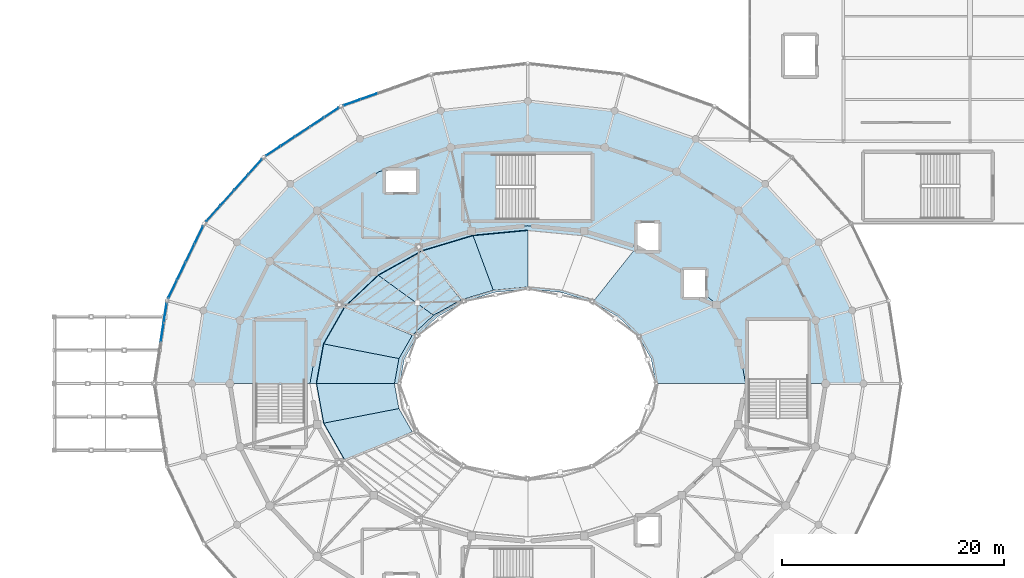
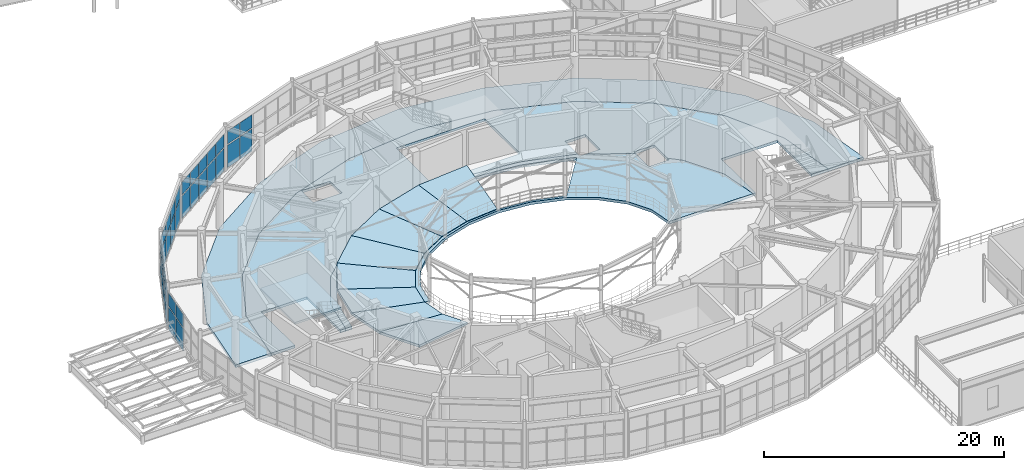
# One storey, part 84 of 144: 34 plates, 12 slabs, 6 elements without a shape of their own.
"""IFC4 building model written with IfcOpenShell, lengths in metres."""

from ifc_helpers import new_model, si_unit, direction, frame, origin, origin_2d, place, context, subcontext, project, spatial, polyline, rectangle, outline, extrude, material, layer, layer_set, type_object, element, aggregate, save


model = new_model("IFC4")

# Units and contexts
model_context = context("Model", 3, precision=1e-05, world=origin(), true_north=direction((0.0, 1.0)))
body_context = subcontext(model_context, "Body", "Model", "MODEL_VIEW")
ifc_project = project(units=[si_unit("LENGTHUNIT", "METRE"), si_unit("AREAUNIT", "SQUARE_METRE"), si_unit("VOLUMEUNIT", "CUBIC_METRE"), si_unit("PLANEANGLEUNIT", "RADIAN"), si_unit("MASSUNIT", "GRAM", prefix="KILO")], contexts=[model_context])

# Site, building, storey
site_placement = place(None, origin())
site = spatial("IfcSite", under=ifc_project, at=site_placement, CompositionType="ELEMENT")
building_placement = place(site_placement, origin())
building = spatial("IfcBuilding", under=site, at=building_placement, Name="Cinderbank Siding Concert Hall", CompositionType="ELEMENT")
storey_placement = place(building_placement, frame((0.0, 0.0, 5.39990234375)))
storey = spatial("IfcBuildingStorey", under=building, at=storey_placement, Name="L02", CompositionType="ELEMENT", Elevation=5.39990234375)

# Curtain wall, plates
ifc_material_1 = material(Name="Anodised aluminium alloy 6063-T6", Category="aluminium")
curtain_wall_type_1 = type_object("IfcCurtainWallType", Name="CW-08 Unitised Acoustic Curtain Wall 6400x3800", PredefinedType="NOTDEFINED", material=ifc_material_1)
curtain_wall_1_placement = place(storey_placement, origin())
curtain_wall_1 = element("IfcCurtainWall", 1, at=curtain_wall_1_placement, inside=storey, type_object=curtain_wall_type_1, Name="L02 Curtain Wall CW-08 #8", PredefinedType="NOTDEFINED")
ifc_material_2 = material(Name="Double-glazed laminated acoustic glass", Category="glass")
ifc_layer_1 = layer(ifc_material_2, 0.035888671875)
ifc_layer_set_1 = layer_set([ifc_layer_1], Name="Double-glazed laminated acoustic glass")
plate_type_1 = type_object("IfcPlateType", Name="CP-01 Glazed Curtain Panel 1800x2200", PredefinedType="CURTAIN_PANEL", material=ifc_layer_set_1)
plate_1_placement = place(storey_placement, frame((107.716796875, 69.8349609375, 0.1201171875), z_axis=(0.0, 0.0, 1.0), x_axis=(-0.942365662238, -0.334584755532, 0.0)))
plate_1 = element("IfcPlate", 2, at=plate_1_placement, type_object=plate_type_1, Name="CW-L02-008 Glazed Panel 3-0", PredefinedType="CURTAIN_PANEL", context=body_context, shape_type="SweptSolid", body=[
    extrude(rectangle(XDim=1.529052734375, YDim=0.035888671875, at=origin_2d()), origin(), (0.0, 0.0, 1.0), 2.26708984375),
])
plate_2_placement = place(storey_placement, frame((107.716796875, 69.8349609375, 2.50732421875), z_axis=(0.0, 0.0, 1.0), x_axis=(-0.942365662238, -0.334584755532, 0.0)))
plate_2 = element("IfcPlate", 3, at=plate_2_placement, type_object=plate_type_1, Name="CW-L02-008 Glazed Panel 3-1", PredefinedType="CURTAIN_PANEL", context=body_context, shape_type="SweptSolid", body=[
    extrude(rectangle(XDim=1.529052734375, YDim=0.035888671875, at=origin_2d()), origin(), (0.0, 0.0, 1.0), 1.31982421875),
])
plate_3_placement = place(storey_placement, frame((106.181396484375, 69.2900390625, 0.1201171875), z_axis=(0.0, 0.0, 1.0), x_axis=(-0.942365662238, -0.334584755532, 0.0)))
plate_3 = element("IfcPlate", 4, at=plate_3_placement, type_object=plate_type_1, Name="CW-L02-008 Glazed Panel 4-0", PredefinedType="CURTAIN_PANEL", context=body_context, shape_type="SweptSolid", body=[
    extrude(rectangle(XDim=1.529052734375, YDim=0.035888671875, at=origin_2d()), origin(), (0.0, 0.0, 1.0), 2.26708984375),
])
plate_4_placement = place(storey_placement, frame((106.181396484375, 69.2900390625, 2.50732421875), z_axis=(0.0, 0.0, 1.0), x_axis=(-0.942365662238, -0.334584755532, 0.0)))
plate_4 = element("IfcPlate", 5, at=plate_4_placement, type_object=plate_type_1, Name="CW-L02-008 Glazed Panel 4-1", PredefinedType="CURTAIN_PANEL", context=body_context, shape_type="SweptSolid", body=[
    extrude(rectangle(XDim=1.529052734375, YDim=0.035888671875, at=origin_2d()), origin(), (0.0, 0.0, 1.0), 1.31982421875),
])
aggregate(curtain_wall_1, [plate_1, plate_2, plate_3, plate_4])

curtain_wall_type_2 = type_object("IfcCurtainWallType", Name="CW-09 Unitised Acoustic Curtain Wall 8000x3500", PredefinedType="NOTDEFINED", material=ifc_material_1)
curtain_wall_2_placement = place(storey_placement, origin())
curtain_wall_2 = element("IfcCurtainWall", 6, at=curtain_wall_2_placement, inside=storey, type_object=curtain_wall_type_2, Name="L02 Curtain Wall CW-09 #9", PredefinedType="NOTDEFINED")
ifc_layer_2 = layer(ifc_material_2, 0.035888671875)
ifc_layer_set_2 = layer_set([ifc_layer_2], Name="Double-glazed laminated acoustic glass")
plate_type_2 = type_object("IfcPlateType", Name="CP-02 Glazed Curtain Panel 1800x1900", PredefinedType="CURTAIN_PANEL", material=ifc_layer_set_2)
plate_5_placement = place(storey_placement, frame((104.352294921875, 68.384033203125, 0.1201171875), z_axis=(0.0, 0.0, 1.0), x_axis=(-0.835491932304, -0.549502712509, 0.0)))
plate_5 = element("IfcPlate", 7, at=plate_5_placement, type_object=plate_type_2, Name="CW-L02-009 Glazed Panel 0-0", PredefinedType="CURTAIN_PANEL", context=body_context, shape_type="SweptSolid", body=[
    extrude(rectangle(XDim=1.47509765625, YDim=0.035888671875, at=origin_2d()), origin(), (0.0, 0.0, 1.0), 2.26708984375),
])
plate_6_placement = place(storey_placement, frame((104.352294921875, 68.384033203125, 2.50732421875), z_axis=(0.0, 0.0, 1.0), x_axis=(-0.835491932304, -0.549502712509, 0.0)))
plate_6 = element("IfcPlate", 8, at=plate_6_placement, type_object=plate_type_2, Name="CW-L02-009 Glazed Panel 0-1", PredefinedType="CURTAIN_PANEL", context=body_context, shape_type="SweptSolid", body=[
    extrude(rectangle(XDim=1.47509765625, YDim=0.035888671875, at=origin_2d()), origin(), (0.0, 0.0, 1.0), 1.31982421875),
])
plate_7_placement = place(storey_placement, frame((103.03662109375, 67.5185546875, 0.1201171875), z_axis=(0.0, 0.0, 1.0), x_axis=(-0.835491932304, -0.549502712509, 0.0)))
plate_7 = element("IfcPlate", 9, at=plate_7_placement, type_object=plate_type_2, Name="CW-L02-009 Glazed Panel 1-0", PredefinedType="CURTAIN_PANEL", context=body_context, shape_type="SweptSolid", body=[
    extrude(rectangle(XDim=1.47509765625, YDim=0.035888671875, at=origin_2d()), origin(), (0.0, 0.0, 1.0), 2.26708984375),
])
plate_8_placement = place(storey_placement, frame((103.03662109375, 67.5185546875, 2.50732421875), z_axis=(0.0, 0.0, 1.0), x_axis=(-0.835491932304, -0.549502712509, 0.0)))
plate_8 = element("IfcPlate", 10, at=plate_8_placement, type_object=plate_type_2, Name="CW-L02-009 Glazed Panel 1-1", PredefinedType="CURTAIN_PANEL", context=body_context, shape_type="SweptSolid", body=[
    extrude(rectangle(XDim=1.47509765625, YDim=0.035888671875, at=origin_2d()), origin(), (0.0, 0.0, 1.0), 1.31982421875),
])
plate_9_placement = place(storey_placement, frame((101.720703125, 66.653076171875, 0.1201171875), z_axis=(0.0, 0.0, 1.0), x_axis=(-0.835491932304, -0.549502712509, 0.0)))
plate_9 = element("IfcPlate", 11, at=plate_9_placement, type_object=plate_type_2, Name="CW-L02-009 Glazed Panel 2-0", PredefinedType="CURTAIN_PANEL", context=body_context, shape_type="SweptSolid", body=[
    extrude(rectangle(XDim=1.47509765625, YDim=0.035888671875, at=origin_2d()), origin(), (0.0, 0.0, 1.0), 2.26708984375),
])
plate_10_placement = place(storey_placement, frame((101.720703125, 66.653076171875, 2.50732421875), z_axis=(0.0, 0.0, 1.0), x_axis=(-0.835491932304, -0.549502712509, 0.0)))
plate_10 = element("IfcPlate", 12, at=plate_10_placement, type_object=plate_type_2, Name="CW-L02-009 Glazed Panel 2-1", PredefinedType="CURTAIN_PANEL", context=body_context, shape_type="SweptSolid", body=[
    extrude(rectangle(XDim=1.47509765625, YDim=0.035888671875, at=origin_2d()), origin(), (0.0, 0.0, 1.0), 1.31982421875),
])
plate_11_placement = place(storey_placement, frame((100.40478515625, 65.78759765625, 0.1201171875), z_axis=(0.0, 0.0, 1.0), x_axis=(-0.835491932304, -0.549502712509, 0.0)))
plate_11 = element("IfcPlate", 13, at=plate_11_placement, type_object=plate_type_2, Name="CW-L02-009 Glazed Panel 3-0", PredefinedType="CURTAIN_PANEL", context=body_context, shape_type="SweptSolid", body=[
    extrude(rectangle(XDim=1.47509765625, YDim=0.035888671875, at=origin_2d()), origin(), (0.0, 0.0, 1.0), 2.26708984375),
])
plate_12_placement = place(storey_placement, frame((100.40478515625, 65.78759765625, 2.50732421875), z_axis=(0.0, 0.0, 1.0), x_axis=(-0.835491932304, -0.549502712509, 0.0)))
plate_12 = element("IfcPlate", 14, at=plate_12_placement, type_object=plate_type_2, Name="CW-L02-009 Glazed Panel 3-1", PredefinedType="CURTAIN_PANEL", context=body_context, shape_type="SweptSolid", body=[
    extrude(rectangle(XDim=1.47509765625, YDim=0.035888671875, at=origin_2d()), origin(), (0.0, 0.0, 1.0), 1.31982421875),
])
plate_13_placement = place(storey_placement, frame((99.0888671875, 64.922119140625, 0.1201171875), z_axis=(0.0, 0.0, 1.0), x_axis=(-0.835491932304, -0.549502712509, 0.0)))
plate_13 = element("IfcPlate", 15, at=plate_13_placement, type_object=plate_type_2, Name="CW-L02-009 Glazed Panel 4-0", PredefinedType="CURTAIN_PANEL", context=body_context, shape_type="SweptSolid", body=[
    extrude(rectangle(XDim=1.47509765625, YDim=0.035888671875, at=origin_2d()), origin(), (0.0, 0.0, 1.0), 2.26708984375),
])
plate_14_placement = place(storey_placement, frame((99.0888671875, 64.922119140625, 2.50732421875), z_axis=(0.0, 0.0, 1.0), x_axis=(-0.835491932304, -0.549502712509, 0.0)))
plate_14 = element("IfcPlate", 16, at=plate_14_placement, type_object=plate_type_2, Name="CW-L02-009 Glazed Panel 4-1", PredefinedType="CURTAIN_PANEL", context=body_context, shape_type="SweptSolid", body=[
    extrude(rectangle(XDim=1.47509765625, YDim=0.035888671875, at=origin_2d()), origin(), (0.0, 0.0, 1.0), 1.31982421875),
])
aggregate(curtain_wall_2, [plate_5, plate_6, plate_7, plate_8, plate_9, plate_10, plate_11, plate_12, plate_13, plate_14])

curtain_wall_type_3 = type_object("IfcCurtainWallType", Name="CW-10 Unitised Acoustic Curtain Wall 7200x3500", PredefinedType="NOTDEFINED", material=ifc_material_1)
curtain_wall_3_placement = place(storey_placement, origin())
curtain_wall_3 = element("IfcCurtainWall", 17, at=curtain_wall_3_placement, inside=storey, type_object=curtain_wall_type_3, Name="L02 Curtain Wall CW-10 #10", PredefinedType="NOTDEFINED")
ifc_layer_3 = layer(ifc_material_2, 0.035888671875)
ifc_layer_set_3 = layer_set([ifc_layer_3], Name="Double-glazed laminated acoustic glass")
plate_type_3 = type_object("IfcPlateType", Name="CP-03 Glazed Curtain Panel 1600x2100", PredefinedType="CURTAIN_PANEL", material=ifc_layer_set_3)
plate_15_placement = place(storey_placement, frame((97.460205078125, 63.4921875, 0.1201171875), z_axis=(0.0, 0.0, 1.0), x_axis=(-0.666993465338, -0.745063565877, 0.0)))
plate_15 = element("IfcPlate", 18, at=plate_15_placement, type_object=plate_type_3, Name="CW-L02-010 Glazed Panel 0-0", PredefinedType="CURTAIN_PANEL", context=body_context, shape_type="SweptSolid", body=[
    extrude(rectangle(XDim=1.787841796875, YDim=0.035888671875, at=origin_2d()), origin(), (0.0, 0.0, 1.0), 2.26708984375),
])
plate_16_placement = place(storey_placement, frame((97.460205078125, 63.4921875, 2.50732421875), z_axis=(0.0, 0.0, 1.0), x_axis=(-0.666993465338, -0.745063565877, 0.0)))
plate_16 = element("IfcPlate", 19, at=plate_16_placement, type_object=plate_type_3, Name="CW-L02-010 Glazed Panel 0-1", PredefinedType="CURTAIN_PANEL", context=body_context, shape_type="SweptSolid", body=[
    extrude(rectangle(XDim=1.787841796875, YDim=0.035888671875, at=origin_2d()), origin(), (0.0, 0.0, 1.0), 1.31982421875),
])
plate_17_placement = place(storey_placement, frame((96.200927734375, 62.085693359375, 0.1201171875), z_axis=(0.0, 0.0, 1.0), x_axis=(-0.666993465338, -0.745063565877, 0.0)))
plate_17 = element("IfcPlate", 20, at=plate_17_placement, type_object=plate_type_3, Name="CW-L02-010 Glazed Panel 1-0", PredefinedType="CURTAIN_PANEL", context=body_context, shape_type="SweptSolid", body=[
    extrude(rectangle(XDim=1.787841796875, YDim=0.035888671875, at=origin_2d()), origin(), (0.0, 0.0, 1.0), 2.26708984375),
])
plate_18_placement = place(storey_placement, frame((96.200927734375, 62.085693359375, 2.50732421875), z_axis=(0.0, 0.0, 1.0), x_axis=(-0.666993465338, -0.745063565877, 0.0)))
plate_18 = element("IfcPlate", 21, at=plate_18_placement, type_object=plate_type_3, Name="CW-L02-010 Glazed Panel 1-1", PredefinedType="CURTAIN_PANEL", context=body_context, shape_type="SweptSolid", body=[
    extrude(rectangle(XDim=1.787841796875, YDim=0.035888671875, at=origin_2d()), origin(), (0.0, 0.0, 1.0), 1.31982421875),
])
plate_19_placement = place(storey_placement, frame((94.941650390625, 60.678955078125, 0.1201171875), z_axis=(0.0, 0.0, 1.0), x_axis=(-0.666993465338, -0.745063565877, 0.0)))
plate_19 = element("IfcPlate", 22, at=plate_19_placement, type_object=plate_type_3, Name="CW-L02-010 Glazed Panel 2-0", PredefinedType="CURTAIN_PANEL", context=body_context, shape_type="SweptSolid", body=[
    extrude(rectangle(XDim=1.787841796875, YDim=0.035888671875, at=origin_2d()), origin(), (0.0, 0.0, 1.0), 2.26708984375),
])
plate_20_placement = place(storey_placement, frame((94.941650390625, 60.678955078125, 2.50732421875), z_axis=(0.0, 0.0, 1.0), x_axis=(-0.666993465338, -0.745063565877, 0.0)))
plate_20 = element("IfcPlate", 23, at=plate_20_placement, type_object=plate_type_3, Name="CW-L02-010 Glazed Panel 2-1", PredefinedType="CURTAIN_PANEL", context=body_context, shape_type="SweptSolid", body=[
    extrude(rectangle(XDim=1.787841796875, YDim=0.035888671875, at=origin_2d()), origin(), (0.0, 0.0, 1.0), 1.31982421875),
])
plate_21_placement = place(storey_placement, frame((93.6826171875, 59.2724609375, 0.1201171875), z_axis=(0.0, 0.0, 1.0), x_axis=(-0.666993465338, -0.745063565877, 0.0)))
plate_21 = element("IfcPlate", 24, at=plate_21_placement, type_object=plate_type_3, Name="CW-L02-010 Glazed Panel 3-0", PredefinedType="CURTAIN_PANEL", context=body_context, shape_type="SweptSolid", body=[
    extrude(rectangle(XDim=1.787841796875, YDim=0.035888671875, at=origin_2d()), origin(), (0.0, 0.0, 1.0), 2.26708984375),
])
plate_22_placement = place(storey_placement, frame((93.6826171875, 59.2724609375, 2.50732421875), z_axis=(0.0, 0.0, 1.0), x_axis=(-0.666993465338, -0.745063565877, 0.0)))
plate_22 = element("IfcPlate", 25, at=plate_22_placement, type_object=plate_type_3, Name="CW-L02-010 Glazed Panel 3-1", PredefinedType="CURTAIN_PANEL", context=body_context, shape_type="SweptSolid", body=[
    extrude(rectangle(XDim=1.787841796875, YDim=0.035888671875, at=origin_2d()), origin(), (0.0, 0.0, 1.0), 1.31982421875),
])
aggregate(curtain_wall_3, [plate_15, plate_16, plate_17, plate_18, plate_19, plate_20, plate_21, plate_22])

curtain_wall_type_4 = type_object("IfcCurtainWallType", Name="CW-11 Unitised Acoustic Curtain Wall 6600x3500", PredefinedType="NOTDEFINED", material=ifc_material_1)
curtain_wall_4_placement = place(storey_placement, origin())
curtain_wall_4 = element("IfcCurtainWall", 26, at=curtain_wall_4_placement, inside=storey, type_object=curtain_wall_type_4, Name="L02 Curtain Wall CW-11 #11", PredefinedType="NOTDEFINED")
ifc_layer_4 = layer(ifc_material_2, 0.031982421875)
ifc_layer_set_4 = layer_set([ifc_layer_4], Name="Double-glazed laminated acoustic glass")
plate_type_4 = type_object("IfcPlateType", Name="CP-04 Glazed Curtain Panel 1400x2000", PredefinedType="CURTAIN_PANEL", material=ifc_layer_set_4)
plate_23_placement = place(storey_placement, frame((92.407958984375, 57.37841796875, 0.1201171875), z_axis=(0.0, 0.0, 1.0), x_axis=(-0.435102109714, -0.900381116041, 0.0)))
plate_23 = element("IfcPlate", 27, at=plate_23_placement, type_object=plate_type_4, Name="CW-L02-011 Glazed Panel 0-0", PredefinedType="CURTAIN_PANEL", context=body_context, shape_type="SweptSolid", body=[
    extrude(rectangle(XDim=1.715087890625, YDim=0.035888671875, at=origin_2d()), origin(), (0.0, 0.0, 1.0), 2.26708984375),
])
plate_24_placement = place(storey_placement, frame((92.407958984375, 57.37841796875, 2.50732421875), z_axis=(0.0, 0.0, 1.0), x_axis=(-0.435102109714, -0.900381116041, 0.0)))
plate_24 = element("IfcPlate", 28, at=plate_24_placement, type_object=plate_type_4, Name="CW-L02-011 Glazed Panel 0-1", PredefinedType="CURTAIN_PANEL", context=body_context, shape_type="SweptSolid", body=[
    extrude(rectangle(XDim=1.715087890625, YDim=0.035888671875, at=origin_2d()), origin(), (0.0, 0.0, 1.0), 1.31982421875),
])
plate_25_placement = place(storey_placement, frame((91.6181640625, 55.744140625, 0.1201171875), z_axis=(0.0, 0.0, 1.0), x_axis=(-0.435102109714, -0.900381116041, 0.0)))
plate_25 = element("IfcPlate", 29, at=plate_25_placement, type_object=plate_type_4, Name="CW-L02-011 Glazed Panel 1-0", PredefinedType="CURTAIN_PANEL", context=body_context, shape_type="SweptSolid", body=[
    extrude(rectangle(XDim=1.715087890625, YDim=0.035888671875, at=origin_2d()), origin(), (0.0, 0.0, 1.0), 2.26708984375),
])
plate_26_placement = place(storey_placement, frame((91.6181640625, 55.744140625, 2.50732421875), z_axis=(0.0, 0.0, 1.0), x_axis=(-0.435102109714, -0.900381116041, 0.0)))
plate_26 = element("IfcPlate", 30, at=plate_26_placement, type_object=plate_type_4, Name="CW-L02-011 Glazed Panel 1-1", PredefinedType="CURTAIN_PANEL", context=body_context, shape_type="SweptSolid", body=[
    extrude(rectangle(XDim=1.715087890625, YDim=0.035888671875, at=origin_2d()), origin(), (0.0, 0.0, 1.0), 1.31982421875),
])
plate_27_placement = place(storey_placement, frame((90.828369140625, 54.10986328125, 0.1201171875), z_axis=(0.0, 0.0, 1.0), x_axis=(-0.435102109714, -0.900381116041, 0.0)))
plate_27 = element("IfcPlate", 31, at=plate_27_placement, type_object=plate_type_4, Name="CW-L02-011 Glazed Panel 2-0", PredefinedType="CURTAIN_PANEL", context=body_context, shape_type="SweptSolid", body=[
    extrude(rectangle(XDim=1.715087890625, YDim=0.035888671875, at=origin_2d()), origin(), (0.0, 0.0, 1.0), 2.26708984375),
])
plate_28_placement = place(storey_placement, frame((90.828369140625, 54.10986328125, 2.50732421875), z_axis=(0.0, 0.0, 1.0), x_axis=(-0.435102109714, -0.900381116041, 0.0)))
plate_28 = element("IfcPlate", 32, at=plate_28_placement, type_object=plate_type_4, Name="CW-L02-011 Glazed Panel 2-1", PredefinedType="CURTAIN_PANEL", context=body_context, shape_type="SweptSolid", body=[
    extrude(rectangle(XDim=1.715087890625, YDim=0.035888671875, at=origin_2d()), origin(), (0.0, 0.0, 1.0), 1.31982421875),
])
plate_29_placement = place(storey_placement, frame((90.03857421875, 52.4755859375, 0.1201171875), z_axis=(0.0, 0.0, 1.0), x_axis=(-0.435102109714, -0.900381116041, 0.0)))
plate_29 = element("IfcPlate", 33, at=plate_29_placement, type_object=plate_type_4, Name="CW-L02-011 Glazed Panel 3-0", PredefinedType="CURTAIN_PANEL", context=body_context, shape_type="SweptSolid", body=[
    extrude(rectangle(XDim=1.715087890625, YDim=0.035888671875, at=origin_2d()), origin(), (0.0, 0.0, 1.0), 2.26708984375),
])
plate_30_placement = place(storey_placement, frame((90.03857421875, 52.4755859375, 2.50732421875), z_axis=(0.0, 0.0, 1.0), x_axis=(-0.435102109714, -0.900381116041, 0.0)))
plate_30 = element("IfcPlate", 34, at=plate_30_placement, type_object=plate_type_4, Name="CW-L02-011 Glazed Panel 3-1", PredefinedType="CURTAIN_PANEL", context=body_context, shape_type="SweptSolid", body=[
    extrude(rectangle(XDim=1.715087890625, YDim=0.035888671875, at=origin_2d()), origin(), (0.0, 0.0, 1.0), 1.31982421875),
])
aggregate(curtain_wall_4, [plate_23, plate_24, plate_25, plate_26, plate_27, plate_28, plate_29, plate_30])

curtain_wall_type_5 = type_object("IfcCurtainWallType", Name="CW-12 Unitised Acoustic Curtain Wall 5800x3500", PredefinedType="NOTDEFINED", material=ifc_material_1)
curtain_wall_5_placement = place(storey_placement, origin())
curtain_wall_5 = element("IfcCurtainWall", 35, at=curtain_wall_5_placement, inside=storey, type_object=curtain_wall_type_5, Name="L02 Curtain Wall CW-12 #12", PredefinedType="NOTDEFINED")
ifc_layer_5 = layer(ifc_material_2, 0.031982421875)
ifc_layer_set_5 = layer_set([ifc_layer_5], Name="Double-glazed laminated acoustic glass")
plate_type_5 = type_object("IfcPlateType", Name="CP-05 Glazed Curtain Panel 1200x1800", PredefinedType="CURTAIN_PANEL", material=ifc_layer_set_5)
plate_31_placement = place(storey_placement, frame((89.3759765625, 50.35400390625, 0.1201171875), z_axis=(0.0, 0.0, 1.0), x_axis=(-0.151815048473, -0.988408918949, 0.0)))
plate_31 = element("IfcPlate", 36, at=plate_31_placement, type_object=plate_type_5, Name="CW-L02-012 Glazed Panel 0-0", PredefinedType="CURTAIN_PANEL", context=body_context, shape_type="SweptSolid", body=[
    extrude(rectangle(XDim=1.671875, YDim=0.035888671875, at=origin_2d()), origin(), (0.0, 0.0, 1.0), 2.26708984375),
])
plate_32_placement = place(storey_placement, frame((89.3759765625, 50.35400390625, 2.50732421875), z_axis=(0.0, 0.0, 1.0), x_axis=(-0.151815048473, -0.988408918949, 0.0)))
plate_32 = element("IfcPlate", 37, at=plate_32_placement, type_object=plate_type_5, Name="CW-L02-012 Glazed Panel 0-1", PredefinedType="CURTAIN_PANEL", context=body_context, shape_type="SweptSolid", body=[
    extrude(rectangle(XDim=1.671875, YDim=0.035888671875, at=origin_2d()), origin(), (0.0, 0.0, 1.0), 1.31982421875),
])
plate_33_placement = place(storey_placement, frame((89.10693359375, 48.602783203125, 0.1201171875), z_axis=(0.0, 0.0, 1.0), x_axis=(-0.151815048473, -0.988408918949, 0.0)))
plate_33 = element("IfcPlate", 38, at=plate_33_placement, type_object=plate_type_5, Name="CW-L02-012 Glazed Panel 1-0", PredefinedType="CURTAIN_PANEL", context=body_context, shape_type="SweptSolid", body=[
    extrude(rectangle(XDim=1.671875, YDim=0.035888671875, at=origin_2d()), origin(), (0.0, 0.0, 1.0), 2.26708984375),
])
plate_34_placement = place(storey_placement, frame((89.10693359375, 48.602783203125, 2.50732421875), z_axis=(0.0, 0.0, 1.0), x_axis=(-0.151815048473, -0.988408918949, 0.0)))
plate_34 = element("IfcPlate", 39, at=plate_34_placement, type_object=plate_type_5, Name="CW-L02-012 Glazed Panel 1-1", PredefinedType="CURTAIN_PANEL", context=body_context, shape_type="SweptSolid", body=[
    extrude(rectangle(XDim=1.671875, YDim=0.035888671875, at=origin_2d()), origin(), (0.0, 0.0, 1.0), 1.31982421875),
])
aggregate(curtain_wall_5, [plate_31, plate_32, plate_33, plate_34])

# Stair, slab
ifc_material_3 = material(Name="Reinforced concrete AS 3600 N50 (50 MPa)", Category="concrete")
stair_type = type_object("IfcStairType", Name="STR-D Dogleg Exit Stair 2100mm", PredefinedType="HALF_TURN_STAIR", material=ifc_material_3)
stair_placement = place(storey_placement, origin())
stair = element("IfcStair", 40, at=stair_placement, inside=storey, type_object=stair_type, Name="L02 West Drum Exit Stair ST-04", PredefinedType="HALF_TURN_STAIR")
ifc_layer_6 = layer(ifc_material_3, 0.199951171875)
ifc_layer_set_6 = layer_set([ifc_layer_6], Name="Reinforced concrete AS 3600 N50 (50 MPa)")
slab_type_1 = type_object("IfcSlabType", Name="LD-02 Slab 200mm", PredefinedType="LANDING", material=ifc_layer_set_6)
slab_1_placement = place(storey_placement, frame((0.0, 0.0, 2.2001953125)))
slab_1 = element("IfcSlab", 41, at=slab_1_placement, type_object=slab_type_1, Name="ST-04 landing 1", PredefinedType="LANDING", context=body_context, shape_type="SweptSolid", body=[
    extrude(outline(polyline([(101.97998046875, 43.89990234375), (97.4599609375, 43.89990234375), (97.4599609375, 49.679931640625), (101.97998046875, 49.679931640625), (101.97998046875, 43.89990234375)])), origin(), (0.0, 0.0, 1.0), 0.199951171875),
])
aggregate(stair, [slab_1])

# Slabs
ifc_layer_7 = layer(ifc_material_3, 0.280029296875)
ifc_layer_set_7 = layer_set([ifc_layer_7], Name="Reinforced concrete AS 3600 N50 (50 MPa)")
slab_type_2 = type_object("IfcSlabType", Name="SL-02 Slab 280mm", PredefinedType="FLOOR", material=ifc_layer_set_7)
slab_2_placement = place(storey_placement, frame((0.0, 0.0, -0.27978515625)))
element("IfcSlab", 42, at=slab_2_placement, inside=storey, type_object=slab_type_2, Name="L02 Dress Circle Structural Ring North", PredefinedType="FLOOR", context=body_context, shape_type="SweptSolid", body=[
    extrude(outline(polyline([(108.140625, 54.041015625), (112.199951171875, 56.297607421875), (116.927001953125, 57.716064453125), (122.0, 58.199951171875), (127.072998046875, 57.716064453125), (131.800048828125, 56.297607421875), (131.820068359375, 55.969970703125), (132.389404296875, 55.969970703125), (135.859375, 54.041015625), (136.02001953125, 53.88916015625), (136.02001953125, 51.77001953125), (137.97998046875, 51.77001953125), (137.97998046875, 52.03857421875), (138.97412109375, 51.10009765625), (140.93212890625, 47.67529296875), (141.598876953125, 44.006103515625), (133.498779296875, 44.006103515625), (133.108154296875, 46.199951171875), (131.959228515625, 48.25), (130.131591796875, 50.010498046875), (127.75, 51.361083984375), (124.976318359375, 52.21044921875), (122.0, 52.5), (119.023681640625, 52.21044921875), (116.25, 51.361083984375), (113.868408203125, 50.010498046875), (112.040771484375, 48.25), (110.891845703125, 46.199951171875), (110.501220703125, 44.006103515625), (110.003173828125, 44.006103515625), (110.410888671875, 46.24951171875), (111.609375, 48.345703125), (113.515869140625, 50.14599609375), (116.000732421875, 51.527099609375), (118.89453125, 52.3955078125), (122.0, 52.69189453125), (125.10546875, 52.3955078125), (128.000732421875, 51.52685546875), (131.50341796875, 55.922119140625), (126.92041015625, 57.298095703125), (122.001953125, 57.767578125), (117.07958984375, 57.298095703125), (112.49658203125, 55.922119140625), (108.561279296875, 53.733642578125), (105.5419921875, 50.882080078125), (103.644287109375, 47.561279296875), (102.9990234375, 44.006103515625), (102.401123046875, 44.006103515625), (103.06787109375, 47.67529296875), (105.02587890625, 51.10009765625), (108.140625, 54.041015625)])), origin(), (0.0, 0.0, 1.0), 0.27978515625),
])
slab_3_placement = place(storey_placement, frame((0.0, 0.0, -0.27978515625)))
element("IfcSlab", 43, at=slab_3_placement, inside=storey, type_object=slab_type_2, Name="L02 Dress Circle Inner Foyer North", PredefinedType="FLOOR", context=body_context, shape_type="SweptSolid", body=[
    extrude(outline(polyline([(92.8291015625, 50.573974609375), (95.845947265625, 56.699951171875), (100.6455078125, 61.96044921875), (106.89990234375, 65.9970703125), (114.18359375, 68.534423828125), (122.0, 69.39990234375), (129.81640625, 68.534423828125), (137.10009765625, 65.9970703125), (143.3544921875, 61.96044921875), (148.154052734375, 56.699951171875), (151.1708984375, 50.573974609375), (152.19921875, 44.006103515625), (148.799072265625, 44.006103515625), (147.88671875, 49.694091796875), (145.20947265625, 55.0), (140.950439453125, 59.556396484375), (135.39990234375, 63.052490234375), (128.936279296875, 65.25048828125), (122.0, 66.0), (115.063720703125, 65.25048828125), (108.60009765625, 63.052490234375), (103.049560546875, 59.556396484375), (98.79052734375, 55.0), (96.11328125, 49.694091796875), (95.200927734375, 44.006103515625), (91.80078125, 44.006103515625), (92.8291015625, 50.573974609375)])), origin(), (0.0, 0.0, 1.0), 0.27978515625),
])
ifc_layer_8 = layer(ifc_material_3, 0.260009765625)
ifc_layer_set_8 = layer_set([ifc_layer_8], Name="Reinforced concrete AS 3600 N50 (50 MPa)")
slab_type_3 = type_object("IfcSlabType", Name="SL-03 Slab 260mm", PredefinedType="FLOOR", material=ifc_layer_set_8)
slab_4_placement = place(storey_placement, frame((0.0, 0.0, -0.260009765625)))
element("IfcSlab", 44, at=slab_4_placement, inside=storey, type_object=slab_type_3, Name="L02 Acoustic Lock Ring North", PredefinedType="FLOOR", context=body_context, shape_type="SweptSolid", body=[
    extrude(outline(polyline([(122.0, 66.0), (128.936279296875, 65.25048828125), (135.39990234375, 63.052490234375), (140.950439453125, 59.556396484375), (145.20947265625, 55.0), (147.88671875, 49.694091796875), (148.799072265625, 44.006103515625), (147.219970703125, 44.006103515625), (147.219970703125, 49.719970703125), (141.820068359375, 49.719970703125), (141.820068359375, 44.006103515625), (141.598876953125, 44.006103515625), (140.93212890625, 47.67529296875), (138.97412109375, 51.10009765625), (137.97998046875, 52.03857421875), (137.97998046875, 54.22998046875), (136.02001953125, 54.22998046875), (136.02001953125, 53.88916015625), (135.859375, 54.041015625), (132.389404296875, 55.969970703125), (133.780029296875, 55.969970703125), (133.780029296875, 58.429931640625), (131.820068359375, 58.429931640625), (131.820068359375, 56.28662109375), (127.072998046875, 57.716064453125), (122.0, 58.199951171875), (116.927001953125, 57.716064453125), (112.199951171875, 56.297607421875), (108.140625, 54.041015625), (105.02587890625, 51.10009765625), (103.06787109375, 47.67529296875), (102.401123046875, 44.006103515625), (101.919921875, 44.006103515625), (101.919921875, 49.6201171875), (97.52001953125, 49.6201171875), (97.52001953125, 44.006103515625), (95.200927734375, 44.006103515625), (96.11328125, 49.694091796875), (98.79052734375, 55.0), (103.049560546875, 59.556396484375), (108.60009765625, 63.052490234375), (115.063720703125, 65.25048828125), (122.0, 66.0)]), holes=[polyline([(119.14990234375, 58.75), (127.699951171875, 58.75), (127.699951171875, 64.610107421875), (119.14990234375, 64.610107421875), (119.14990234375, 58.75)]), polyline([(111.97998046875, 61.219970703125), (111.97998046875, 63.179931640625), (109.219970703125, 63.179931640625), (109.219970703125, 61.219970703125), (111.97998046875, 61.219970703125)])]), origin(), (0.0, 0.0, 1.0), 0.260009765625),
])
ifc_material_4 = material(Name="Precast concrete AS 3600 N50 (50 MPa)", Category="concrete")
ifc_layer_9 = layer(ifc_material_4, 0.219970703125)
ifc_layer_set_9 = layer_set([ifc_layer_9], Name="Precast concrete AS 3600 N50 (50 MPa)")
slab_type_4 = type_object("IfcSlabType", Name="ST-TIER2 Slab 220mm", PredefinedType="USERDEFINED", material=ifc_layer_set_9)
slab_5_placement = place(storey_placement, frame((122.0, 52.69384765625, 0.050048828125), z_axis=(0.024525725512, -0.257175787333, 0.96605336457), x_axis=(-0.995484491023, -0.094924328411, 2.836781e-06)))
element("IfcSlab", 45, at=slab_5_placement, inside=storey, type_object=slab_type_4, Name="Stand Main Concert Hall Dress Circle Tier Bay 07", ObjectType="SEATING TIER", PredefinedType="USERDEFINED", context=body_context, shape_type="SweptSolid", body=[
    extrude(outline(polyline([(0.0, 0.0), (3.1198001515303653, 5.551115123125783e-17), (4.458386441990784, -5.225948143414801), (-0.48140805338674475, -5.226036643371488), (0.0, 0.0)])), origin(), (0.0, 0.0, -1.0), 0.219970703125),
])
slab_6_placement = place(storey_placement, frame((118.894287109375, 52.397705078125, 0.050048828125), z_axis=(0.072070662465, -0.2401440581, 0.968058185736), x_axis=(-0.957793127099, -0.287458389467, -2.726083e-06)))
element("IfcSlab", 46, at=slab_6_placement, inside=storey, type_object=slab_type_4, Name="Stand Main Concert Hall Dress Circle Tier Bay 08", ObjectType="SEATING TIER", PredefinedType="USERDEFINED", context=body_context, shape_type="SweptSolid", body=[
    extrude(outline(polyline([(0.0, 0.0), (3.021829704951, 0.0), (5.111558896442055, -5.384816504129121), (0.3271277188270163, -5.384731628433839), (0.0, 0.0)])), origin(), (0.0, 0.0, -1.0), 0.219970703125),
])
slab_7_placement = place(storey_placement, frame((116.0, 51.529052734375, 0.050048828125), z_axis=(0.115059652122, -0.20696571351, 0.971558783546), x_axis=(-0.8740308281, -0.485870467797, 7.364438e-06)))
element("IfcSlab", 47, at=slab_7_placement, inside=storey, type_object=slab_type_4, Name="Stand Main Concert Hall Dress Circle Tier Bay 09", ObjectType="SEATING TIER", PredefinedType="USERDEFINED", context=body_context, shape_type="SweptSolid", body=[
    extrude(outline(polyline([(0.0, 0.0), (2.8435485369426883, 2.220446049250313e-16), (5.42745388441123, -5.701293211665454), (0.9251310940698172, -5.701521668406098), (0.0, 0.0)])), origin(), (0.0, 0.0, -1.0), 0.219970703125),
])
slab_8_placement = place(storey_placement, frame((113.5146484375, 50.1474609375, 0.050048828125), z_axis=(0.150571856298, -0.159487139165, 0.975649511111), x_axis=(-0.727110077026, -0.686520892474, -9.162191e-06)))
element("IfcSlab", 48, at=slab_8_placement, inside=storey, type_object=slab_type_4, Name="Stand Main Concert Hall Dress Circle Tier Bay 10", ObjectType="SEATING TIER", PredefinedType="USERDEFINED", context=body_context, shape_type="SweptSolid", body=[
    extrude(outline(polyline([(0.0, 0.0), (2.622692478917442, 0.0), (5.289666879696593, -6.155622526362731), (1.137148478040343, -6.155339508817333), (0.0, 0.0)])), origin(), (0.0, 0.0, -1.0), 0.219970703125),
])
slab_9_placement = place(storey_placement, frame((111.607666015625, 48.346923828125, 0.050048828125), z_axis=(0.175995512173, -0.100609657311, 0.979236067836), x_axis=(-0.496291295944, -0.868156062912, 1.60161e-07)))
element("IfcSlab", 49, at=slab_9_placement, inside=storey, type_object=slab_type_4, Name="Stand Main Concert Hall Dress Circle Tier Bay 11", ObjectType="SEATING TIER", PredefinedType="USERDEFINED", context=body_context, shape_type="SweptSolid", body=[
    extrude(outline(polyline([(0.0, 0.0), (2.415376632674052, 2.220446049250313e-16), (4.631371060550814, -6.6598024331806425), (0.807097907669043, -6.659807362793485), (0.0, 0.0)])), origin(), (0.0, 0.0, -1.0), 0.219970703125),
])
slab_10_placement = place(storey_placement, frame((110.408935546875, 46.25, 0.050048828125), z_axis=(0.189268121702, -0.034397209568, 0.981322785877), x_axis=(-0.178819282456, -0.983881936117, 2.034568e-06)))
element("IfcSlab", 50, at=slab_10_placement, inside=storey, type_object=slab_type_4, Name="Stand Main Concert Hall Dress Circle Tier Bay 12", ObjectType="SEATING TIER", PredefinedType="USERDEFINED", context=body_context, shape_type="SweptSolid", body=[
    extrude(outline(polyline([(0.0, 0.0), (2.286859917326699, -5.551115123125783e-17), (3.538597641381853, -7.018255933746396), (-0.08250046184861479, -7.018318418763295), (0.0, 0.0)])), origin(), (0.0, 0.0, -1.0), 0.219970703125),
])
slab_11_placement = place(storey_placement, frame((110.0, 44.0, 0.050048828125), z_axis=(0.189268121702, 0.034397209568, 0.981322785877), x_axis=(0.178819282456, -0.983881936117, -2.034568e-06)))
element("IfcSlab", 51, at=slab_11_placement, inside=storey, type_object=slab_type_4, Name="Stand Main Concert Hall Dress Circle Tier Bay 13", ObjectType="SEATING TIER", PredefinedType="USERDEFINED", context=body_context, shape_type="SweptSolid", body=[
    extrude(outline(polyline([(0.0, 0.0), (2.286859917326699, 5.551115123125783e-17), (2.3693603791753133, -7.018318418763295), (-1.2517377240551544, -7.018255933746396), (0.0, 0.0)])), origin(), (0.0, 0.0, -1.0), 0.219970703125),
])
slab_12_placement = place(storey_placement, frame((110.408935546875, 41.75, 0.050048828125), z_axis=(0.175995512173, 0.100609657311, 0.979236067836), x_axis=(0.496291295944, -0.868156062912, -1.60161e-07)))
element("IfcSlab", 52, at=slab_12_placement, inside=storey, type_object=slab_type_4, Name="Stand Main Concert Hall Dress Circle Tier Bay 14", ObjectType="SEATING TIER", PredefinedType="USERDEFINED", context=body_context, shape_type="SweptSolid", body=[
    extrude(outline(polyline([(0.0, 0.0), (2.415376632674052, -2.220446049250313e-16), (1.6082787250050095, -6.659807362793485), (-2.215994427876762, -6.659802433180643), (0.0, 0.0)])), origin(), (0.0, 0.0, -1.0), 0.219970703125),
])

save(model, "model.ifc")
